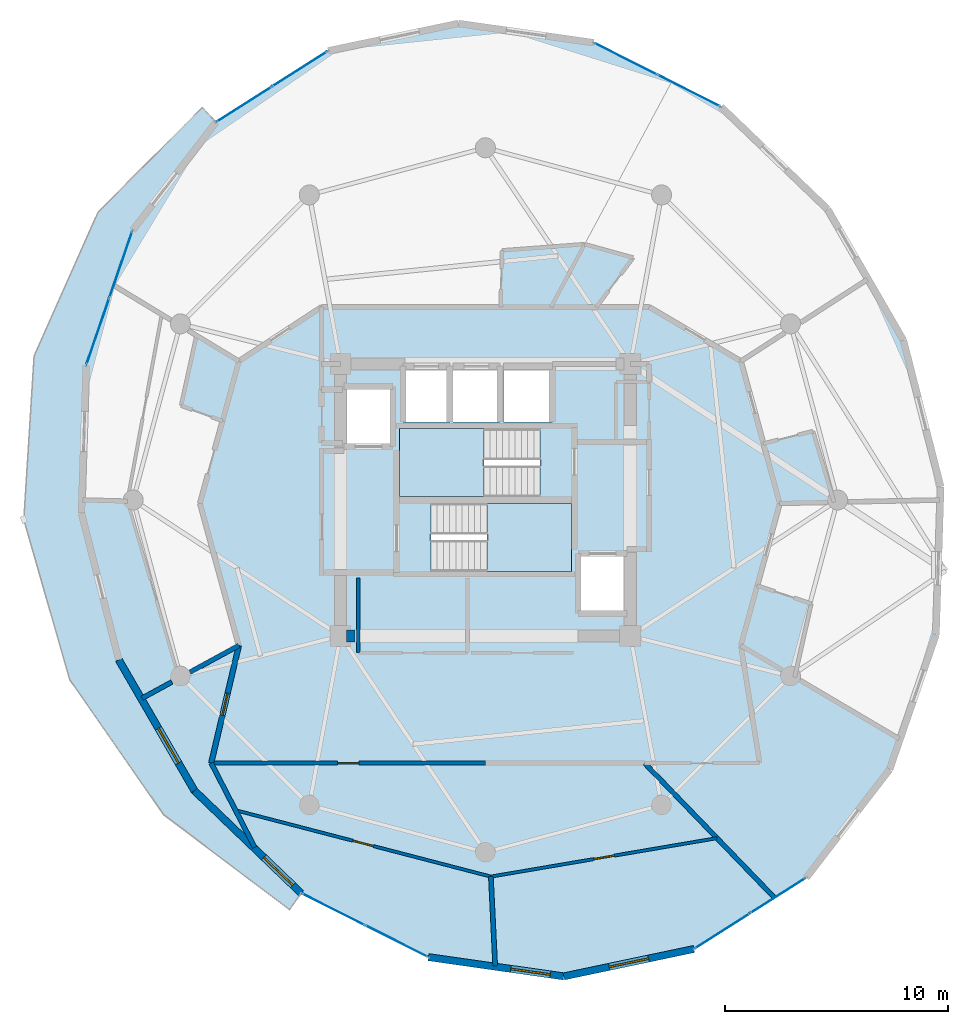
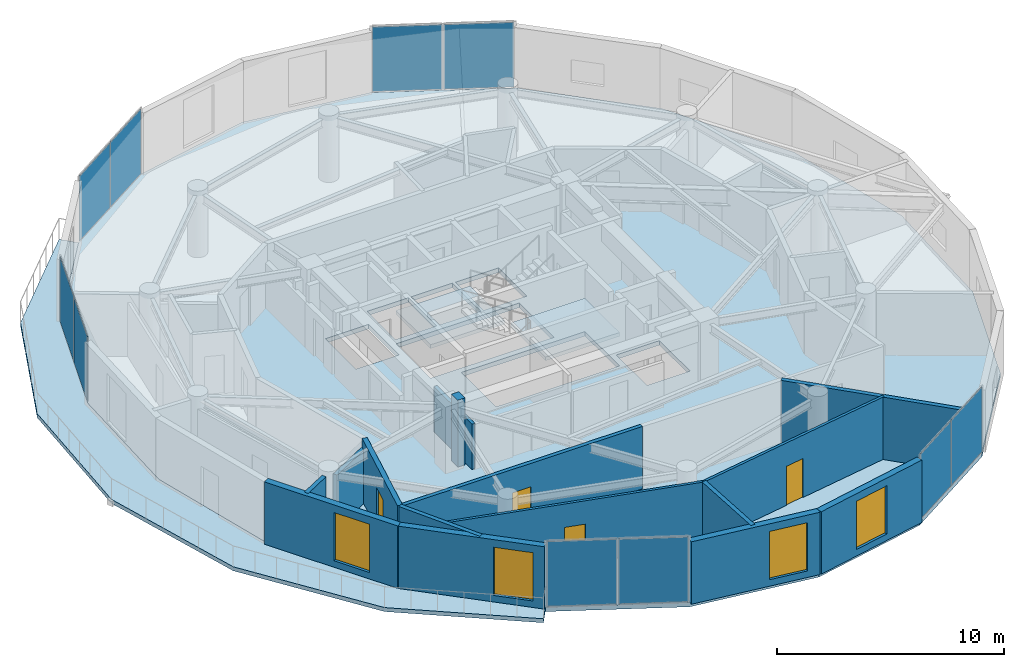
# One storey, part 14 of 19: 15 walls, 10 plates, 4 doors, 4 slabs, 4 windows, 8 openings, 7 elements without a shape of their own.
"""IFC4 building model written with IfcOpenShell, lengths in metres."""

from ifc_helpers import new_model, si_unit, direction, frame, frame_2d, origin, origin_2d, place, context, subcontext, project, spatial, polyline, rectangle, outline, extrude, source, transform, mapped, material, layer, layer_set, type_object, element, fill, aggregate, save


model = new_model("IFC4")

# Units and contexts
model_context = context("Model", 3, precision=1e-05, world=origin(), true_north=direction((0.0, 1.0)))
body_context = subcontext(model_context, "Body", "Model", "MODEL_VIEW")
ifc_project = project(units=[si_unit("LENGTHUNIT", "METRE"), si_unit("AREAUNIT", "SQUARE_METRE"), si_unit("VOLUMEUNIT", "CUBIC_METRE"), si_unit("PLANEANGLEUNIT", "RADIAN"), si_unit("MASSUNIT", "GRAM", prefix="KILO")], contexts=[model_context])

# Site, building, storey
site_placement = place(None, origin())
site = spatial("IfcSite", under=ifc_project, at=site_placement, CompositionType="ELEMENT")
building_placement = place(site_placement, origin())
building = spatial("IfcBuilding", under=site, at=building_placement, Name="Solvirekh Grand Hotel", CompositionType="ELEMENT")
storey_placement = place(building_placement, frame((0.0, 0.0, 212.800048828125)))
storey = spatial("IfcBuildingStorey", under=building, at=storey_placement, Name="L55", CompositionType="ELEMENT", Elevation=212.800048828125)

# Slab
ifc_material_1 = material(Name="Concrete C50/60", Category="concrete")
ifc_layer_1 = layer(ifc_material_1, 0.215087890625)
ifc_layer_set_1 = layer_set([ifc_layer_1], Name="Concrete C50/60")
slab_type_1 = type_object("IfcSlabType", Name="ExtCrescentBalc_215", PredefinedType="FLOOR", material=ifc_layer_set_1)
slab_1_placement = place(storey_placement, frame((0.0, 0.0, -0.215087890625)))
element("IfcSlab", 1, at=slab_1_placement, inside=storey, type_object=slab_type_1, Name="L55 sweeping crescent balcony slab", PredefinedType="FLOOR", context=body_context, shape_type="SweptSolid", body=[
    extrude(outline(polyline([(-12.698974609375, 17.60595703125), (-17.3740234375, 12.907958984375), (-20.242919921875, 6.464111328125), (-20.705078125, -0.876953125), (-18.64404296875, -8.06103515625), (-14.428955078125, -14.117919921875), (-8.785888671875, -18.37109375), (-8.263916015625, -17.637939453125), (-13.050048828125, -13.041015625), (-16.447021484375, -7.1669921875), (-18.1201171875, -0.591064453125), (-17.907958984375, 6.0419921875), (-15.830078125, 12.083984375), (-12.090087890625, 16.943115234375), (-12.698974609375, 17.60595703125)])), origin(), (0.0, 0.0, 1.0), 0.215087890625),
])

# Stair, slab
ifc_material_2 = material(Name="Concrete C40/50", Category="concrete")
stair_type = type_object("IfcStairType", Name="Stair_Core_1450", PredefinedType="HALF_TURN_STAIR", material=ifc_material_2)
stair_1_placement = place(storey_placement, origin())
stair_1 = element("IfcStair", 2, at=stair_1_placement, inside=storey, type_object=stair_type, Name="L55 Enclosed exit stair ST-1", PredefinedType="HALF_TURN_STAIR")
ifc_layer_2 = layer(ifc_material_2, 0.199951171875)
ifc_layer_set_2 = layer_set([ifc_layer_2], Name="Concrete C40/50")
slab_type_2 = type_object("IfcSlabType", Name="Landing_Stair_200", PredefinedType="LANDING", material=ifc_layer_set_2)
slab_2_placement = place(storey_placement, frame((0.0, 0.0, 1.599853515625)))
slab_2 = element("IfcSlab", 3, at=slab_2_placement, type_object=slab_type_2, Name="ST-1 landing 1", PredefinedType="LANDING", context=body_context, shape_type="SweptSolid", body=[
    extrude(outline(polyline([(0.070068359375, -3.199951171875), (3.85009765625, -3.199951171875), (3.85009765625, -0.14990234375), (0.070068359375, -0.14990234375), (0.070068359375, -3.199951171875)])), origin(), (0.0, 0.0, 1.0), 0.2001953125),
])
aggregate(stair_1, [slab_2])

stair_2_placement = place(storey_placement, origin())
stair_2 = element("IfcStair", 4, at=stair_2_placement, inside=storey, type_object=stair_type, Name="L55 Enclosed exit stair ST-2", PredefinedType="HALF_TURN_STAIR")
slab_3_placement = place(storey_placement, frame((0.0, 0.0, 1.599853515625)))
slab_3 = element("IfcSlab", 5, at=slab_3_placement, type_object=slab_type_2, Name="ST-2 landing 1", PredefinedType="LANDING", context=body_context, shape_type="SweptSolid", body=[
    extrude(outline(polyline([(-0.070068359375, 3.199951171875), (-3.85009765625, 3.199951171875), (-3.85009765625, 0.14990234375), (-0.070068359375, 0.14990234375), (-0.070068359375, 3.199951171875)])), origin(), (0.0, 0.0, 1.0), 0.2001953125),
])
aggregate(stair_2, [slab_3])

# Slab
ifc_layer_3 = layer(ifc_material_2, 0.239990234375)
ifc_layer_set_3 = layer_set([ifc_layer_3], Name="Concrete C40/50")
slab_type_3 = type_object("IfcSlabType", Name="Slab_GuestZ3_240", PredefinedType="FLOOR", material=ifc_layer_set_3)
slab_4_placement = place(storey_placement, frame((0.0, 0.0, -0.239990234375)))
element("IfcSlab", 6, at=slab_4_placement, inside=storey, type_object=slab_type_3, Name="L55 structural floor slab", PredefinedType="FLOOR", context=body_context, shape_type="SweptSolid", body=[
    extrude(outline(polyline([(9.35400390625, -20.14306640625), (14.389892578125, -16.943115234375), (18.1298828125, -12.083984375), (20.2080078125, -6.0419921875), (20.419921875, 0.591064453125), (18.7470703125, 7.1669921875), (15.35009765625, 13.041015625), (10.56396484375, 17.637939453125), (4.85595703125, 20.509033203125), (-1.215087890625, 21.3720703125), (-7.053955078125, 20.14306640625), (-12.090087890625, 16.943115234375), (-15.830078125, 12.083984375), (-17.907958984375, 6.0419921875), (-18.1201171875, -0.591064453125), (-16.447021484375, -7.1669921875), (-13.050048828125, -13.041015625), (-8.263916015625, -17.637939453125), (-2.555908203125, -20.509033203125), (3.514892578125, -21.3720703125), (9.35400390625, -20.14306640625)]), holes=[polyline([(-2.444091796875, -0.14990234375), (3.85009765625, -0.14990234375), (3.85009765625, -3.199951171875), (-2.444091796875, -3.199951171875), (-2.444091796875, -0.14990234375)]), polyline([(2.444091796875, 0.14990234375), (-3.85009765625, 0.14990234375), (-3.85009765625, 3.199951171875), (2.444091796875, 3.199951171875), (2.444091796875, 0.14990234375)]), polyline([(-3.699951171875, 6.0), (-1.60009765625, 6.0), (-1.60009765625, 3.5), (-3.699951171875, 3.5), (-3.699951171875, 6.0)]), polyline([(-1.449951171875, 6.0), (0.64990234375, 6.0), (0.64990234375, 3.5), (-1.449951171875, 3.5), (-1.449951171875, 6.0)]), polyline([(0.800048828125, 6.0), (3.0, 6.0), (3.0, 3.5), (0.800048828125, 3.5), (0.800048828125, 6.0)]), polyline([(-6.35009765625, 5.10009765625), (-4.14990234375, 5.10009765625), (-4.14990234375, 2.39990234375), (-6.35009765625, 2.39990234375), (-6.35009765625, 5.10009765625)]), polyline([(4.14990234375, -2.39990234375), (6.35009765625, -2.39990234375), (6.35009765625, -5.10009765625), (4.14990234375, -5.10009765625), (4.14990234375, -2.39990234375)])]), origin(), (0.0, 0.0, 1.0), 0.239990234375),
])

# Curtain wall, plates
ifc_material_3 = material(Name="Anodized Bronze Aluminium 6063-T6", Category="aluminium")
ifc_layer_4 = layer(ifc_material_3, 0.159912109375)
ifc_layer_set_4 = layer_set([ifc_layer_4], Name="Anodized Bronze Aluminium 6063-T6")
curtain_wall_type = type_object("IfcCurtainWallType", Name="CW_Sys4_HighZoneFlushBronzeCW", PredefinedType="NOTDEFINED", material=ifc_layer_set_4)
curtain_wall_1_placement = place(storey_placement, origin())
curtain_wall_1 = element("IfcCurtainWall", 7, at=curtain_wall_1_placement, inside=storey, type_object=curtain_wall_type, Name="L55 unitised bronze-glass curtain wall CW-L55-C01", PredefinedType="NOTDEFINED")
ifc_material_4 = material(Name="Low-E Tinted Bronze Laminated Glass", Category="aluminium")
ifc_layer_5 = layer(ifc_material_4, 0.033935546875)
ifc_layer_set_5 = layer_set([ifc_layer_5], Name="Low-E Tinted Bronze Laminated Glass")
plate_type = type_object("IfcPlateType", Name="CWPanel_High_34", PredefinedType="CURTAIN_PANEL", material=ifc_layer_set_5)
shared_shape_1 = source(origin(), body_context, "Body", "SweptSolid", [
    extrude(rectangle(XDim=2.893310546875, YDim=0.033935546875, at=origin_2d()), origin(), (0.0, 0.0, 1.0), 3.489990234375),
])
plate_1_placement = place(storey_placement, frame((10.625732421875, -19.3349609375, 0.05517578125), z_axis=(0.0, 0.0, 1.0), x_axis=(0.844020154726, 0.53631145654, 0.0)))
plate_1 = element("IfcPlate", 8, at=plate_1_placement, type_object=plate_type, Name="U04 panel 1.1", PredefinedType="CURTAIN_PANEL", context=body_context, shape_type="MappedRepresentation", body=[
    mapped(shared_shape_1, transform((0.0, 0.0, 0.0), x_axis=(1.0, 0.0, 0.0), y_axis=(0.0, 1.0, 0.0), z_axis=(0.0, 0.0, 1.0), scale=1.0)),
])
plate_2_placement = place(storey_placement, frame((13.118408203125, -17.7509765625, 0.05517578125), z_axis=(0.0, 0.0, 1.0), x_axis=(0.844020154726, 0.53631145654, 0.0)))
plate_2 = element("IfcPlate", 9, at=plate_2_placement, type_object=plate_type, Name="U04 panel 2.1", PredefinedType="CURTAIN_PANEL", context=body_context, shape_type="MappedRepresentation", body=[
    mapped(shared_shape_1, transform((0.0, 0.0, 0.0), x_axis=(1.0, 0.0, 0.0), y_axis=(0.0, 1.0, 0.0), z_axis=(0.0, 0.0, 1.0), scale=1.0)),
])
aggregate(curtain_wall_1, [plate_1, plate_2])

curtain_wall_2_placement = place(storey_placement, origin())
curtain_wall_2 = element("IfcCurtainWall", 10, at=curtain_wall_2_placement, inside=storey, type_object=curtain_wall_type, Name="L55 unitised bronze-glass curtain wall CW-L55-C11", PredefinedType="NOTDEFINED")
plate_3_placement = place(storey_placement, frame((-8.32568359375, 19.3349609375, 0.05517578125), z_axis=(0.0, 0.0, 1.0), x_axis=(-0.844020154726, -0.53631145654, 0.0)))
plate_3 = element("IfcPlate", 11, at=plate_3_placement, type_object=plate_type, Name="U04 panel 1.1", PredefinedType="CURTAIN_PANEL", context=body_context, shape_type="MappedRepresentation", body=[
    mapped(shared_shape_1, transform((0.0, 0.0, 0.0), x_axis=(1.0, 0.0, 0.0), y_axis=(0.0, 1.0, 0.0), z_axis=(0.0, 0.0, 1.0), scale=1.0)),
])
plate_4_placement = place(storey_placement, frame((-10.818359375, 17.7509765625, 0.05517578125), z_axis=(0.0, 0.0, 1.0), x_axis=(-0.844020154726, -0.53631145654, 0.0)))
plate_4 = element("IfcPlate", 12, at=plate_4_placement, type_object=plate_type, Name="U04 panel 2.1", PredefinedType="CURTAIN_PANEL", context=body_context, shape_type="MappedRepresentation", body=[
    mapped(shared_shape_1, transform((0.0, 0.0, 0.0), x_axis=(1.0, 0.0, 0.0), y_axis=(0.0, 1.0, 0.0), z_axis=(0.0, 0.0, 1.0), scale=1.0)),
])
aggregate(curtain_wall_2, [plate_3, plate_4])

curtain_wall_3_placement = place(storey_placement, origin())
curtain_wall_3 = element("IfcCurtainWall", 13, at=curtain_wall_3_placement, inside=storey, type_object=curtain_wall_type, Name="L55 unitised bronze-glass curtain wall CW-L55-C08", PredefinedType="NOTDEFINED")
shared_shape_2 = source(origin(), body_context, "Body", "SweptSolid", [
    extrude(rectangle(XDim=3.104736328125, YDim=0.033935546875, at=origin_2d()), origin(), (0.0, 0.0, 1.0), 3.489990234375),
])
plate_5_placement = place(storey_placement, frame((9.12353515625, 18.362548828125, 0.05517578125), z_axis=(0.0, 0.0, 1.0), x_axis=(-0.893360388713, 0.449340868249, 0.0)))
plate_5 = element("IfcPlate", 14, at=plate_5_placement, type_object=plate_type, Name="U04 panel 1.1", PredefinedType="CURTAIN_PANEL", context=body_context, shape_type="MappedRepresentation", body=[
    mapped(shared_shape_2, transform((0.0, 0.0, 0.0), x_axis=(1.0, 0.0, 0.0), y_axis=(0.0, 1.0, 0.0), z_axis=(0.0, 0.0, 1.0), scale=1.0)),
])
plate_6_placement = place(storey_placement, frame((6.29638671875, 19.784423828125, 0.05517578125), z_axis=(0.0, 0.0, 1.0), x_axis=(-0.893360388713, 0.449340868249, 0.0)))
plate_6 = element("IfcPlate", 15, at=plate_6_placement, type_object=plate_type, Name="U04 panel 2.1", PredefinedType="CURTAIN_PANEL", context=body_context, shape_type="MappedRepresentation", body=[
    mapped(shared_shape_2, transform((0.0, 0.0, 0.0), x_axis=(1.0, 0.0, 0.0), y_axis=(0.0, 1.0, 0.0), z_axis=(0.0, 0.0, 1.0), scale=1.0)),
])
aggregate(curtain_wall_3, [plate_5, plate_6])

curtain_wall_4_placement = place(storey_placement, origin())
curtain_wall_4 = element("IfcCurtainWall", 16, at=curtain_wall_4_placement, inside=storey, type_object=curtain_wall_type, Name="L55 unitised bronze-glass curtain wall CW-L55-C13", PredefinedType="NOTDEFINED")
plate_7_placement = place(storey_placement, frame((-16.3544921875, 10.559326171875, 0.05517578125), z_axis=(0.0, 0.0, 1.0), x_axis=(-0.325228483483, -0.945635465458, 0.0)))
plate_7 = element("IfcPlate", 17, at=plate_7_placement, type_object=plate_type, Name="U04 panel 1.1", PredefinedType="CURTAIN_PANEL", context=body_context, shape_type="MappedRepresentation", body=[
    mapped(shared_shape_2, transform((0.0, 0.0, 0.0), x_axis=(1.0, 0.0, 0.0), y_axis=(0.0, 1.0, 0.0), z_axis=(0.0, 0.0, 1.0), scale=1.0)),
])
plate_8_placement = place(storey_placement, frame((-17.383544921875, 7.566650390625, 0.05517578125), z_axis=(0.0, 0.0, 1.0), x_axis=(-0.325228483483, -0.945635465458, 0.0)))
plate_8 = element("IfcPlate", 18, at=plate_8_placement, type_object=plate_type, Name="U04 panel 2.1", PredefinedType="CURTAIN_PANEL", context=body_context, shape_type="MappedRepresentation", body=[
    mapped(shared_shape_2, transform((0.0, 0.0, 0.0), x_axis=(1.0, 0.0, 0.0), y_axis=(0.0, 1.0, 0.0), z_axis=(0.0, 0.0, 1.0), scale=1.0)),
])
aggregate(curtain_wall_4, [plate_7, plate_8])

curtain_wall_5_placement = place(storey_placement, origin())
curtain_wall_5 = element("IfcCurtainWall", 19, at=curtain_wall_5_placement, inside=storey, type_object=curtain_wall_type, Name="L55 unitised bronze-glass curtain wall CW-L55-C18", PredefinedType="NOTDEFINED")
plate_9_placement = place(storey_placement, frame((-6.823486328125, -18.362548828125, 0.05517578125), z_axis=(0.0, 0.0, 1.0), x_axis=(0.893360388713, -0.449340868249, 0.0)))
plate_9 = element("IfcPlate", 20, at=plate_9_placement, type_object=plate_type, Name="U04 panel 1.1", PredefinedType="CURTAIN_PANEL", context=body_context, shape_type="MappedRepresentation", body=[
    mapped(shared_shape_2, transform((0.0, 0.0, 0.0), x_axis=(1.0, 0.0, 0.0), y_axis=(0.0, 1.0, 0.0), z_axis=(0.0, 0.0, 1.0), scale=1.0)),
])
plate_10_placement = place(storey_placement, frame((-3.996337890625, -19.784423828125, 0.05517578125), z_axis=(0.0, 0.0, 1.0), x_axis=(0.893360388713, -0.449340868249, 0.0)))
plate_10 = element("IfcPlate", 21, at=plate_10_placement, type_object=plate_type, Name="U04 panel 2.1", PredefinedType="CURTAIN_PANEL", context=body_context, shape_type="MappedRepresentation", body=[
    mapped(shared_shape_2, transform((0.0, 0.0, 0.0), x_axis=(1.0, 0.0, 0.0), y_axis=(0.0, 1.0, 0.0), z_axis=(0.0, 0.0, 1.0), scale=1.0)),
])
aggregate(curtain_wall_5, [plate_9, plate_10])

# Wall
ifc_layer_6 = layer(ifc_material_1, 0.550048828125)
ifc_layer_set_6 = layer_set([ifc_layer_6], Name="Concrete C50/60")
wall_type_1 = type_object("IfcWallType", Name="CoreWall_RC550", PredefinedType="SHEAR", material=ifc_layer_set_6)
wall_1_placement = place(storey_placement, frame((-6.22509765625, -6.10009765625, 0.0), z_axis=(0.0, 0.0, 1.0), x_axis=(1.0, 0.0, 0.0)))
element("IfcWall", 22, at=wall_1_placement, inside=storey, type_object=wall_type_1, Name="L55 core corner shear wall SW-S", PredefinedType="SHEAR", context=body_context, shape_type="SweptSolid", body=[
    extrude(rectangle(XDim=0.375, YDim=0.550048828125, at=frame_2d((0.1875, 0.0))), origin(), (0.0, 0.0, 1.0), 3.599853515625),
])

# Wall, opening, window
ifc_material_5 = material(Name="Precast concrete C45/55", Category="concrete")
ifc_layer_7 = layer(ifc_material_5, 0.320068359375)
ifc_layer_set_7 = layer_set([ifc_layer_7], Name="Precast concrete C45/55")
wall_type_2 = type_object("IfcWallType", Name="ExtLobbyWall_RC320", PredefinedType="SOLIDWALL", material=ifc_layer_set_7)
wall_2_placement = place(storey_placement, frame((-13.050048828125, -13.041015625, 0.0), z_axis=(0.0, 0.0, 1.0), x_axis=(-0.50061923795, 0.865667591281, 0.0)))
wall_2 = element("IfcWall", 23, at=wall_2_placement, inside=storey, type_object=wall_type_2, Name="L55 exterior structural wall chord 16", PredefinedType="SOLIDWALL", context=body_context, shape_type="SweptSolid", body=[
    extrude(rectangle(XDim=6.78564453125, YDim=0.320068359375, at=frame_2d((3.392822265625, 0.0))), origin(), (0.0, 0.0, 1.0), 3.35986328125),
])
opening_1_placement = place(wall_2_placement, frame((1.43408203125, 0.0, 0.35009765625)))
opening_1 = element("IfcOpeningElement", 24, at=opening_1_placement, cuts=wall_2, Name="Opening W02", PredefinedType="OPENING", context=body_context, shape_type="SweptSolid", body=[
    extrude(rectangle(XDim=1.800048828125, YDim=2.60009765625, at=frame_2d((0.89990234375, 1.300048828125))), frame((0.0, 0.169921875, 0.0), z_axis=(0.0, -1.0, 0.0), x_axis=(1.0, 0.0, 0.0)), (0.0, 0.0, 1.0), 0.340087890625),
])
window_type = type_object("IfcWindowType", Name="Win_LobbyExt_1800X2600", PartitioningType="SINGLE_PANEL", PredefinedType="WINDOW", material=ifc_material_4)
window_1_placement = place(opening_1_placement, origin())
window_1 = element("IfcWindow", 25, at=window_1_placement, inside=storey, type_object=window_type, Name="L55 panoramic bronze-framed window 16", OverallHeight=2.60009765625, OverallWidth=1.800048828125, PartitioningType="SINGLE_PANEL", PredefinedType="WINDOW", context=body_context, shape_type="SweptSolid", body=[
    extrude(rectangle(XDim=1.800048828125, YDim=2.60009765625, at=frame_2d((0.89990234375, 1.300048828125))), frame((0.0, 0.030029296875, 0.0), z_axis=(0.0, -1.0, 0.0), x_axis=(1.0, 0.0, 0.0)), (0.0, 0.0, 1.0), 0.06005859375),
])
fill(opening_1, window_1)

wall_3_placement = place(storey_placement, frame((-8.263916015625, -17.637939453125, 0.0), z_axis=(0.0, 0.0, 1.0), x_axis=(-0.721218944664, 0.69270717757, 0.0)))
wall_3 = element("IfcWall", 26, at=wall_3_placement, inside=storey, type_object=wall_type_2, Name="L55 exterior structural wall chord 17", PredefinedType="SOLIDWALL", context=body_context, shape_type="SweptSolid", body=[
    extrude(rectangle(XDim=6.63623046875, YDim=0.320068359375, at=frame_2d((3.318115234375, 0.0))), origin(), (0.0, 0.0, 1.0), 3.35986328125),
])
opening_2_placement = place(wall_3_placement, frame((0.51611328125, 0.0, 0.35009765625)))
opening_2 = element("IfcOpeningElement", 27, at=opening_2_placement, cuts=wall_3, Name="Opening W02", PredefinedType="OPENING", context=body_context, shape_type="SweptSolid", body=[
    extrude(rectangle(XDim=1.800048828125, YDim=2.60009765625, at=frame_2d((0.89990234375, 1.300048828125))), frame((0.0, 0.169921875, 0.0), z_axis=(0.0, -1.0, 0.0), x_axis=(1.0, 0.0, 0.0)), (0.0, 0.0, 1.0), 0.340087890625),
])
window_2_placement = place(opening_2_placement, origin())
window_2 = element("IfcWindow", 28, at=window_2_placement, inside=storey, type_object=window_type, Name="L55 panoramic bronze-framed window 17", OverallHeight=2.60009765625, OverallWidth=1.800048828125, PartitioningType="SINGLE_PANEL", PredefinedType="WINDOW", context=body_context, shape_type="SweptSolid", body=[
    extrude(rectangle(XDim=1.800048828125, YDim=2.60009765625, at=frame_2d((0.89990234375, 1.300048828125))), frame((0.0, 0.030029296875, 0.0), z_axis=(0.0, -1.0, 0.0), x_axis=(1.0, 0.0, 0.0)), (0.0, 0.0, 1.0), 0.06005859375),
])
fill(opening_2, window_2)

wall_4_placement = place(storey_placement, frame((3.514892578125, -21.3720703125, 0.0), z_axis=(0.0, 0.0, 1.0), x_axis=(-0.990045616764, 0.140746853344, 0.0)))
wall_4 = element("IfcWall", 29, at=wall_4_placement, inside=storey, type_object=wall_type_2, Name="L55 exterior structural wall chord 19", PredefinedType="SOLIDWALL", context=body_context, shape_type="SweptSolid", body=[
    extrude(rectangle(XDim=6.1318359375, YDim=0.320068359375, at=frame_2d((3.06591796875, 0.0))), origin(), (0.0, 0.0, 1.0), 3.35986328125),
])
opening_3_placement = place(wall_4_placement, frame((0.60693359375, 0.0, 0.35009765625)))
opening_3 = element("IfcOpeningElement", 30, at=opening_3_placement, cuts=wall_4, Name="Opening W02", PredefinedType="OPENING", context=body_context, shape_type="SweptSolid", body=[
    extrude(rectangle(XDim=1.800048828125, YDim=2.60009765625, at=frame_2d((0.89990234375, 1.300048828125))), frame((0.0, 0.169921875, 0.0), z_axis=(0.0, -1.0, 0.0), x_axis=(1.0, 0.0, 0.0)), (0.0, 0.0, 1.0), 0.340087890625),
])
window_3_placement = place(opening_3_placement, origin())
window_3 = element("IfcWindow", 31, at=window_3_placement, inside=storey, type_object=window_type, Name="L55 panoramic bronze-framed window 19", OverallHeight=2.60009765625, OverallWidth=1.800048828125, PartitioningType="SINGLE_PANEL", PredefinedType="WINDOW", context=body_context, shape_type="SweptSolid", body=[
    extrude(rectangle(XDim=1.800048828125, YDim=2.60009765625, at=frame_2d((0.89990234375, 1.300048828125))), frame((0.0, 0.030029296875, 0.0), z_axis=(0.0, -1.0, 0.0), x_axis=(1.0, 0.0, 0.0)), (0.0, 0.0, 1.0), 0.06005859375),
])
fill(opening_3, window_3)

wall_5_placement = place(storey_placement, frame((9.35400390625, -20.14306640625, 0.0), z_axis=(0.0, 0.0, 1.0), x_axis=(-0.97855933434, -0.205965116405, 0.0)))
wall_5 = element("IfcWall", 32, at=wall_5_placement, inside=storey, type_object=wall_type_2, Name="L55 exterior structural wall chord 20", PredefinedType="SOLIDWALL", context=body_context, shape_type="SweptSolid", body=[
    extrude(rectangle(XDim=5.967041015625, YDim=0.320068359375, at=frame_2d((2.9833984375, 0.0))), origin(), (0.0, 0.0, 1.0), 3.35986328125),
])
opening_4_placement = place(wall_5_placement, frame((2.0830078125, 0.0, 0.35009765625)))
opening_4 = element("IfcOpeningElement", 33, at=opening_4_placement, cuts=wall_5, Name="Opening W02", PredefinedType="OPENING", context=body_context, shape_type="SweptSolid", body=[
    extrude(rectangle(XDim=1.800048828125, YDim=2.60009765625, at=frame_2d((0.89990234375, 1.300048828125))), frame((0.0, 0.169921875, 0.0), z_axis=(0.0, -1.0, 0.0), x_axis=(1.0, 0.0, 0.0)), (0.0, 0.0, 1.0), 0.340087890625),
])
window_4_placement = place(opening_4_placement, origin())
window_4 = element("IfcWindow", 34, at=window_4_placement, inside=storey, type_object=window_type, Name="L55 panoramic bronze-framed window 20", OverallHeight=2.60009765625, OverallWidth=1.800048828125, PartitioningType="SINGLE_PANEL", PredefinedType="WINDOW", context=body_context, shape_type="SweptSolid", body=[
    extrude(rectangle(XDim=1.800048828125, YDim=2.60009765625, at=frame_2d((0.89990234375, 1.300048828125))), frame((0.0, 0.030029296875, 0.0), z_axis=(0.0, -1.0, 0.0), x_axis=(1.0, 0.0, 0.0)), (0.0, 0.0, 1.0), 0.06005859375),
])
fill(opening_4, window_4)

# Wall
ifc_material_6 = material(Name="Acoustic Gypsum Partition Assembly")
ifc_layer_8 = layer(ifc_material_6, 0.1650390625)
ifc_layer_set_8 = layer_set([ifc_layer_8], Name="Acoustic Gypsum Partition Assembly")
wall_type_3 = type_object("IfcWallType", Name="Part_BOH_165", PredefinedType="PARTITIONING", material=ifc_layer_set_8)
wall_6_placement = place(storey_placement, frame((-5.699951171875, -3.5, 0.0), z_axis=(0.0, 0.0, 1.0), x_axis=(0.0, -1.0, 0.0)))
element("IfcWall", 35, at=wall_6_placement, inside=storey, type_object=wall_type_3, Name="L55 High-Zone Housekeeping Linen Room wall 4", PredefinedType="PARTITIONING", context=body_context, shape_type="SweptSolid", body=[
    extrude(rectangle(XDim=3.35009765625, YDim=0.1650390625, at=frame_2d((1.675048828125, 0.0))), origin(), (0.0, 0.0, 1.0), 2.445068359375),
])

# Wall, opening, door
ifc_layer_9 = layer(ifc_material_6, 0.239990234375)
ifc_layer_set_9 = layer_set([ifc_layer_9], Name="Acoustic Gypsum Partition Assembly")
wall_type_4 = type_object("IfcWallType", Name="Part_Corridor_240", PredefinedType="PARTITIONING", material=ifc_layer_set_9)
wall_7_placement = place(storey_placement, frame((-11.05810546875, -6.52490234375, 0.0), z_axis=(0.0, 0.0, 1.0), x_axis=(-0.229167390813, -0.973387028364, 0.0)))
wall_7 = element("IfcWall", 36, at=wall_7_placement, inside=storey, type_object=wall_type_4, Name="L55 L55 South-West Study Lounge entrance wall", PredefinedType="PARTITIONING", context=body_context, shape_type="SweptSolid", body=[
    extrude(rectangle(XDim=5.41943359375, YDim=0.239990234375, at=frame_2d((2.709716796875, 0.0))), origin(), (0.0, 0.0, 1.0), 3.35986328125),
])
opening_5_placement = place(wall_7_placement, frame((2.2099609375, 0.0, 0.0)))
opening_5 = element("IfcOpeningElement", 37, at=opening_5_placement, cuts=wall_7, Name="Opening D07", PredefinedType="OPENING", context=body_context, shape_type="SweptSolid", body=[
    extrude(rectangle(XDim=1.0, YDim=2.199951171875, at=frame_2d((0.5, 1.10009765625))), frame((0.0, 0.1298828125, 0.0), z_axis=(0.0, -1.0, 0.0), x_axis=(1.0, 0.0, 0.0)), (0.0, 0.0, 1.0), 0.260009765625),
])
ifc_material_7 = material(Name="Fire-Rated Steel Door Assembly", Category="steel")
door_type_1 = type_object("IfcDoorType", Name="Door_GuestEntry_1000X2200", OperationType="NOTDEFINED", PredefinedType="DOOR", material=ifc_material_7)
door_1_placement = place(opening_5_placement, origin())
door_1 = element("IfcDoor", 38, at=door_1_placement, inside=storey, type_object=door_type_1, Name="L55 L55 South-West Study Lounge entrance door", OperationType="SINGLE_SWING_LEFT", OverallHeight=2.199951171875, OverallWidth=1.0, PredefinedType="DOOR", context=body_context, shape_type="SweptSolid", body=[
    extrude(rectangle(XDim=1.0, YDim=2.199951171875, at=frame_2d((0.5, 1.10009765625))), frame((0.0, 0.02490234375, 0.0), z_axis=(0.0, -1.0, 0.0), x_axis=(1.0, 0.0, 0.0)), (0.0, 0.0, 1.0), 0.050048828125),
])
fill(opening_5, door_1)

ifc_layer_10 = layer(ifc_material_6, 0.18994140625)
ifc_layer_set_10 = layer_set([ifc_layer_10], Name="Acoustic Gypsum Partition Assembly")
wall_type_5 = type_object("IfcWallType", Name="Part_GuestDemise_190", PredefinedType="PARTITIONING", material=ifc_layer_set_10)
wall_8_placement = place(storey_placement, frame((-12.300048828125, -11.800048828125, 0.0), z_axis=(0.0, 0.0, 1.0), x_axis=(1.0, 0.0, 0.0)))
wall_8 = element("IfcWall", 39, at=wall_8_placement, inside=storey, type_object=wall_type_5, Name="L55 L55 Bespoke Atelier Room entrance wall", PredefinedType="PARTITIONING", context=body_context, shape_type="SweptSolid", body=[
    extrude(rectangle(XDim=12.300048828125, YDim=0.18994140625, at=frame_2d((6.14990234375, 0.0))), origin(), (0.0, 0.0, 1.0), 3.35986328125),
])
opening_6_placement = place(wall_8_placement, frame((5.675048828125, 0.0, 0.0)))
opening_6 = element("IfcOpeningElement", 40, at=opening_6_placement, cuts=wall_8, Name="Opening D10", PredefinedType="OPENING", context=body_context, shape_type="SweptSolid", body=[
    extrude(rectangle(XDim=0.949951171875, YDim=2.10009765625, at=frame_2d((0.47509765625, 1.050048828125))), frame((0.0, 0.10498046875, 0.0), z_axis=(0.0, -1.0, 0.0), x_axis=(1.0, 0.0, 0.0)), (0.0, 0.0, 1.0), 0.2099609375),
])
door_type_2 = type_object("IfcDoorType", Name="Door_RoomInt_950X2100", OperationType="NOTDEFINED", PredefinedType="DOOR", material=ifc_material_3)
door_2_placement = place(opening_6_placement, origin())
door_2 = element("IfcDoor", 41, at=door_2_placement, inside=storey, type_object=door_type_2, Name="L55 L55 Bespoke Atelier Room entrance door", OperationType="SINGLE_SWING_RIGHT", OverallHeight=2.10009765625, OverallWidth=0.949951171875, PredefinedType="DOOR", context=body_context, shape_type="SweptSolid", body=[
    extrude(rectangle(XDim=0.949951171875, YDim=2.10009765625, at=frame_2d((0.47509765625, 1.050048828125))), frame((0.0, 0.02490234375, 0.0), z_axis=(0.0, -1.0, 0.0), x_axis=(1.0, 0.0, 0.0)), (0.0, 0.0, 1.0), 0.050048828125),
])
fill(opening_6, door_2)

ifc_layer_11 = layer(ifc_material_6, 0.135009765625)
ifc_layer_set_11 = layer_set([ifc_layer_11], Name="Acoustic Gypsum Partition Assembly")
wall_type_6 = type_object("IfcWallType", Name="Part_RoomInt_135", PredefinedType="PARTITIONING", material=ifc_layer_set_11)
wall_9_placement = place(storey_placement, frame((-11.208984375, -13.916015625, 0.0), z_axis=(0.0, 0.0, 1.0), x_axis=(0.967843403255, -0.251553467032, 0.0)))
wall_9 = element("IfcWall", 42, at=wall_9_placement, inside=storey, type_object=wall_type_6, Name="L55 L55 South Horizon Conservatory bedroom screen wall", PredefinedType="PARTITIONING", context=body_context, shape_type="SweptSolid", body=[
    extrude(rectangle(XDim=11.834716796875, YDim=0.135009765625, at=frame_2d((5.91748046875, 0.0))), origin(), (0.0, 0.0, 1.0), 3.35986328125),
])
opening_7_placement = place(wall_9_placement, frame((5.44189453125, 0.0, 0.0)))
opening_7 = element("IfcOpeningElement", 43, at=opening_7_placement, cuts=wall_9, Name="Opening D10", PredefinedType="OPENING", context=body_context, shape_type="SweptSolid", body=[
    extrude(rectangle(XDim=0.949951171875, YDim=2.10009765625, at=frame_2d((0.47509765625, 1.050048828125))), frame((0.0, 0.07763671875, 0.0), z_axis=(0.0, -1.0, 0.0), x_axis=(1.0, 0.0, 0.0)), (0.0, 0.0, 1.0), 0.155029296875),
])
door_3_placement = place(opening_7_placement, origin())
door_3 = element("IfcDoor", 44, at=door_3_placement, inside=storey, type_object=door_type_2, Name="L55 L55 South Horizon Conservatory master bedroom door", OperationType="SINGLE_SWING_RIGHT", OverallHeight=2.10009765625, OverallWidth=0.949951171875, PredefinedType="DOOR", context=body_context, shape_type="SweptSolid", body=[
    extrude(rectangle(XDim=0.949951171875, YDim=2.10009765625, at=frame_2d((0.47509765625, 1.050048828125))), frame((0.0, 0.02490234375, 0.0), z_axis=(0.0, -1.0, 0.0), x_axis=(1.0, 0.0, 0.0)), (0.0, 0.0, 1.0), 0.050048828125),
])
fill(opening_7, door_3)

wall_10_placement = place(storey_placement, frame((0.2451171875, -16.89306640625, 0.0), z_axis=(0.0, 0.0, 1.0), x_axis=(0.985840040351, 0.167688445755, 0.0)))
wall_10 = element("IfcWall", 45, at=wall_10_placement, inside=storey, type_object=wall_type_6, Name="L55 L55 Riverfront Tea Belvedere bedroom screen wall", PredefinedType="PARTITIONING", context=body_context, shape_type="SweptSolid", body=[
    extrude(rectangle(XDim=10.28759765625, YDim=0.135009765625, at=frame_2d((5.143798828125, 0.0))), origin(), (0.0, 0.0, 1.0), 3.35986328125),
])
opening_8_placement = place(wall_10_placement, frame((4.6689453125, 0.0, 0.0)))
opening_8 = element("IfcOpeningElement", 46, at=opening_8_placement, cuts=wall_10, Name="Opening D10", PredefinedType="OPENING", context=body_context, shape_type="SweptSolid", body=[
    extrude(rectangle(XDim=0.949951171875, YDim=2.10009765625, at=frame_2d((0.47509765625, 1.050048828125))), frame((0.0, 0.07763671875, 0.0), z_axis=(0.0, -1.0, 0.0), x_axis=(1.0, 0.0, 0.0)), (0.0, 0.0, 1.0), 0.155029296875),
])
door_4_placement = place(opening_8_placement, origin())
door_4 = element("IfcDoor", 47, at=door_4_placement, inside=storey, type_object=door_type_2, Name="L55 L55 Riverfront Tea Belvedere master bedroom door", OperationType="SINGLE_SWING_LEFT", OverallHeight=2.10009765625, OverallWidth=0.949951171875, PredefinedType="DOOR", context=body_context, shape_type="SweptSolid", body=[
    extrude(rectangle(XDim=0.949951171875, YDim=2.10009765625, at=frame_2d((0.47509765625, 1.050048828125))), frame((0.0, 0.02490234375, 0.0), z_axis=(0.0, -1.0, 0.0), x_axis=(1.0, 0.0, 0.0)), (0.0, 0.0, 1.0), 0.050048828125),
])
fill(opening_8, door_4)

# Walls
ifc_layer_12 = layer(ifc_material_6, 0.2099609375)
ifc_layer_set_12 = layer_set([ifc_layer_12], Name="Acoustic Gypsum Partition Assembly")
wall_type_7 = type_object("IfcWallType", Name="Part_SuiteDemise_210", PredefinedType="PARTITIONING", material=ifc_layer_set_12)
wall_11_placement = place(storey_placement, frame((-11.05810546875, -6.52490234375, 0.0), z_axis=(0.0, 0.0, 1.0), x_axis=(-0.878056312433, -0.478557323836, 0.0)))
element("IfcWall", 48, at=wall_11_placement, inside=storey, type_object=wall_type_7, Name="L55 suite radial wall 8 (A)", PredefinedType="PARTITIONING", context=body_context, shape_type="SweptSolid", body=[
    extrude(rectangle(XDim=2.4951171875, YDim=0.2099609375, at=frame_2d((1.24755859375, 0.0))), origin(), (0.0, 0.0, 1.0), 2.8759765625),
])
wall_12_placement = place(storey_placement, frame((-14.070068359375, -8.1669921875, 0.0), z_axis=(0.0, 0.0, 1.0), x_axis=(-0.878178167796, -0.478333676012, 0.0)))
element("IfcWall", 49, at=wall_12_placement, inside=storey, type_object=wall_type_7, Name="L55 suite radial wall 8 (B)", PredefinedType="PARTITIONING", context=body_context, shape_type="SweptSolid", body=[
    extrude(rectangle(XDim=1.517822265625, YDim=0.2099609375, at=frame_2d((0.7587890625, 0.0))), origin(), (0.0, 0.0, 1.0), 3.35986328125),
])
wall_13_placement = place(storey_placement, frame((7.134033203125, -11.800048828125, 0.0), z_axis=(0.0, 0.0, 1.0), x_axis=(0.694693504574, -0.71930587006, 0.0)))
element("IfcWall", 50, at=wall_13_placement, inside=storey, type_object=wall_type_7, Name="L55 L55 Bespoke Atelier Room dividing partition 1", PredefinedType="PARTITIONING", context=body_context, shape_type="SweptSolid", body=[
    extrude(rectangle(XDim=8.362060546875, YDim=0.2099609375, at=frame_2d((4.18115234375, 0.0))), origin(), (0.0, 0.0, 1.0), 3.35986328125),
])
wall_14_placement = place(storey_placement, frame((-12.300048828125, -11.800048828125, 0.0), z_axis=(0.0, 0.0, 1.0), x_axis=(0.458363547269, -0.888764793708, 0.0)))
element("IfcWall", 51, at=wall_14_placement, inside=storey, type_object=wall_type_7, Name="L55 L55 Bespoke Atelier Room dividing partition 2", PredefinedType="PARTITIONING", context=body_context, shape_type="SweptSolid", body=[
    extrude(rectangle(XDim=4.251953125, YDim=0.2099609375, at=frame_2d((2.1259765625, 0.0))), origin(), (0.0, 0.0, 1.0), 3.35986328125),
])
wall_15_placement = place(storey_placement, frame((0.2451171875, -16.89306640625, 0.0), z_axis=(0.0, 0.0, 1.0), x_axis=(0.048138368388, -0.998840676729, 0.0)))
element("IfcWall", 52, at=wall_15_placement, inside=storey, type_object=wall_type_7, Name="L55 L55 South Horizon Conservatory dividing partition 1", PredefinedType="PARTITIONING", context=body_context, shape_type="SweptSolid", body=[
    extrude(rectangle(XDim=4.006591796875, YDim=0.2099609375, at=frame_2d((2.00341796875, 0.0))), origin(), (0.0, 0.0, 1.0), 3.35986328125),
])

save(model, "model.ifc")
